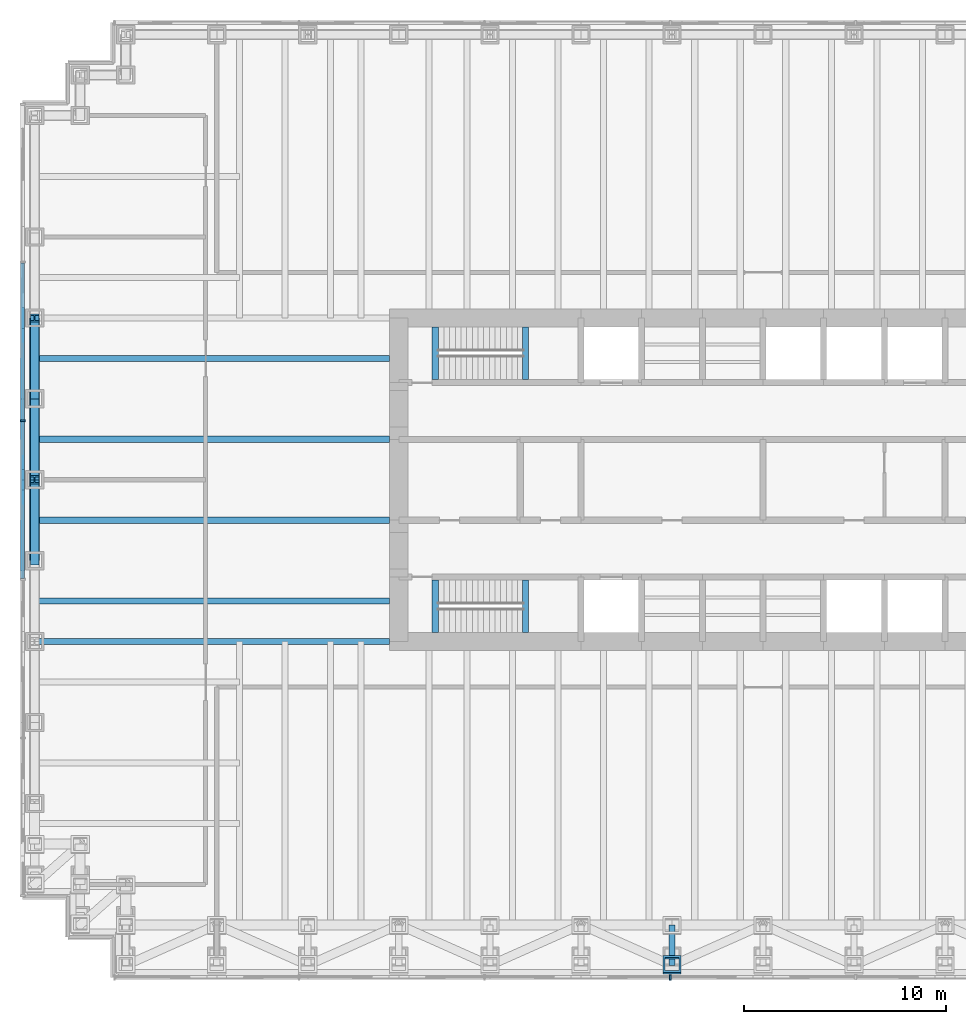
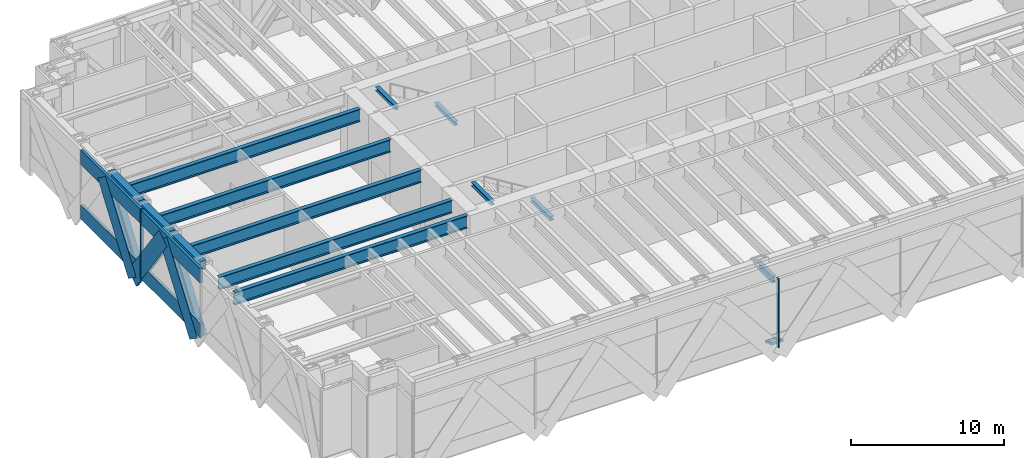
# One storey, part 3 of 16: 13 beams, 13 members, 2 elements without a shape of their own.
"""IFC4 building model written with IfcOpenShell, lengths in metres."""

from ifc_helpers import new_model, si_unit, direction, frame, origin, origin_2d, place, context, subcontext, project, spatial, rectangle, hollow_rectangle, i_section, extrude, material, material_profile, profile_set, type_object, element, aggregate, save


model = new_model("IFC4")

# Units and contexts
model_context = context("Model", 3, precision=1e-05, world=origin(), true_north=direction((0.0, 1.0)))
body_context = subcontext(model_context, "Body", "Model", "MODEL_VIEW")
ifc_project = project(units=[si_unit("LENGTHUNIT", "METRE"), si_unit("AREAUNIT", "SQUARE_METRE"), si_unit("VOLUMEUNIT", "CUBIC_METRE"), si_unit("PLANEANGLEUNIT", "RADIAN"), si_unit("MASSUNIT", "GRAM", prefix="KILO")], contexts=[model_context])

# Site, building, storey
site_placement = place(None, origin())
site = spatial("IfcSite", under=ifc_project, at=site_placement, CompositionType="ELEMENT")
building_placement = place(site_placement, origin())
building = spatial("IfcBuilding", under=site, at=building_placement, Name="Rheinbord Bourse Tower", CompositionType="ELEMENT")
storey_placement = place(building_placement, frame((0.0, 0.0, 95.0)))
storey = spatial("IfcBuildingStorey", under=building, at=storey_placement, Name="L20", CompositionType="ELEMENT", Elevation=95.0)

# Beams
ifc_material_1 = material(Name="Steel S460M", Category="steel")
ifc_material_profile_1 = material_profile(ifc_material_1, hollow_rectangle(XDim=0.5, YDim=0.699951171875, WallThickness=0.0400390625, at=origin_2d()), Name="BOX 700x500x40")
ifc_profile_set_1 = profile_set([ifc_material_profile_1], Name="Steel S460M")
beam_type_1 = type_object("IfcBeamType", Name="BELT CHORD BOX 700x500x40", PredefinedType="SPANDREL", material=ifc_profile_set_1)
for number, where, z_axis, x_axis, name in (
    (1, (0.0, 32.0, 4.989990234375), (0.0, -1.0, 0.0), (1.0, 0.0, 0.0), "Spandrel W-32-W-28 under L21"),
    (2, (0.0, 28.0, 4.989990234375), (0.0, -1.0, 0.0), (1.0, 0.0, 0.0), "Spandrel W-28-W-24 under L21"),
    (3, (0.0, 24.0, 4.989990234375), (0.0, -1.0, 0.0), (1.0, 0.0, 0.0), "Spandrel W-24-W-20 under L21"),
):
    element("IfcBeam", number, at=place(storey_placement, frame(where, z_axis=z_axis, x_axis=x_axis)), inside=storey, type_object=beam_type_1, Name=name, PredefinedType="SPANDREL", context=body_context, shape_type="SweptSolid", body=[
        extrude(hollow_rectangle(XDim=0.5, YDim=0.699951171875, WallThickness=0.0400390625, at=origin_2d()), origin(), (0.0, 0.0, 1.0), 4.0),
    ])

# Members
ifc_material_2 = material(Name="Steel S460", Category="steel")
ifc_material_profile_2 = material_profile(ifc_material_2, i_section(OverallWidth=0.431884765625, OverallDepth=0.498046875, WebThickness=0.0556640625, FlangeThickness=0.0888671875, at=origin_2d()), Name="HD 400x744")
ifc_profile_set_2 = profile_set([ifc_material_profile_2], Name="Steel S460")
member_type_1 = type_object("IfcMemberType", Name="BELT DIAGONAL HD 400x744", PredefinedType="STRUT", material=ifc_profile_set_2)
for number, where, z_axis, x_axis, name in (
    (4, (0.0, 28.0, -0.60009765625), (0.0, 0.581920023079, 0.813246018582), (-1.0, 0.0, 0.0), "Belt truss diagonal W-32-W-28 L20"),
    (5, (0.0, 28.0, -0.60009765625), (0.0, -0.581920023079, 0.813246018582), (1.0, 0.0, 0.0), "Belt truss diagonal W-28-W-24 L20"),
    (6, (0.0, 20.0, -0.60009765625), (0.0, 0.581920023079, 0.813246018582), (-1.0, 0.0, 0.0), "Belt truss diagonal W-24-W-20 L20"),
):
    element("IfcMember", number, at=place(storey_placement, frame(where, z_axis=z_axis, x_axis=x_axis)), inside=storey, type_object=member_type_1, Name=name, PredefinedType="STRUT", context=body_context, shape_type="SweptSolid", body=[
        extrude(i_section(OverallWidth=0.431884765625, OverallDepth=0.498046875, WebThickness=0.0556640625, FlangeThickness=0.0888671875, at=origin_2d()), origin(), (0.0, 0.0, 1.0), 6.873779296875),
    ])

# Curtain wall, members
ifc_material_3 = material(Name="Dark glass and black aluminium", Category="aluminium")
curtain_wall_type = type_object("IfcCurtainWallType", Name="CW5 DARK GLASS CURTAIN WALL", PredefinedType="USERDEFINED", material=ifc_material_3)
curtain_wall_1_placement = place(storey_placement, origin())
curtain_wall_1 = element("IfcCurtainWall", 7, at=curtain_wall_1_placement, inside=storey, type_object=curtain_wall_type, Name="Curtain wall CW5 W L20", ObjectType="UNITISED CURTAIN WALL", PredefinedType="USERDEFINED")
ifc_material_4 = material(Name="Black anodised aluminium", Category="aluminium")
ifc_material_profile_3 = material_profile(ifc_material_4, rectangle(XDim=0.199951171875, YDim=1.259033203125, at=origin_2d()), Name="CW5 DIAGONAL MULLION 1259x200")
ifc_profile_set_3 = profile_set([ifc_material_profile_3], Name="Black anodised aluminium")
member_type_2 = type_object("IfcMemberType", Name="CW5 BLACK DIAGONAL MULLION", PredefinedType="USERDEFINED", material=ifc_profile_set_3)
member_1_placement = place(storey_placement, frame((-0.60009765625, 28.0, -0.60009765625), z_axis=(0.0, 0.581920023079, 0.813246018582), x_axis=(-1.0, 0.0, 0.0)))
member_1 = element("IfcMember", 8, at=member_1_placement, type_object=member_type_2, Name="CW5 diagonal mullion belt W-32", ObjectType="DIAGONAL MULLION", PredefinedType="USERDEFINED", context=body_context, shape_type="SweptSolid", body=[
    extrude(rectangle(XDim=0.199951171875, YDim=1.259033203125, at=origin_2d()), origin(), (0.0, 0.0, 1.0), 6.873779296875),
])
member_2_placement = place(storey_placement, frame((-0.60009765625, 28.0, -0.60009765625), z_axis=(0.0, -0.581920023079, 0.813246018582), x_axis=(1.0, 0.0, 0.0)))
member_2 = element("IfcMember", 9, at=member_2_placement, type_object=member_type_2, Name="CW5 diagonal mullion belt W-28", ObjectType="DIAGONAL MULLION", PredefinedType="USERDEFINED", context=body_context, shape_type="SweptSolid", body=[
    extrude(rectangle(XDim=0.199951171875, YDim=1.259033203125, at=origin_2d()), origin(), (0.0, 0.0, 1.0), 6.873779296875),
])
member_3_placement = place(storey_placement, frame((-0.60009765625, 20.0, -0.60009765625), z_axis=(0.0, 0.581920023079, 0.813246018582), x_axis=(-1.0, 0.0, 0.0)))
member_3 = element("IfcMember", 10, at=member_3_placement, type_object=member_type_2, Name="CW5 diagonal mullion belt W-24", ObjectType="DIAGONAL MULLION", PredefinedType="USERDEFINED", context=body_context, shape_type="SweptSolid", body=[
    extrude(rectangle(XDim=0.199951171875, YDim=1.259033203125, at=origin_2d()), origin(), (0.0, 0.0, 1.0), 6.873779296875),
])

# Curtain wall, member
curtain_wall_2_placement = place(storey_placement, origin())
curtain_wall_2 = element("IfcCurtainWall", 11, at=curtain_wall_2_placement, inside=storey, type_object=curtain_wall_type, Name="Curtain wall CW5 S L20", ObjectType="UNITISED CURTAIN WALL", PredefinedType="USERDEFINED")
ifc_material_5 = material(Name="Black anodised aluminium", Category="aluminium")
ifc_material_profile_4 = material_profile(ifc_material_5, rectangle(XDim=0.25, YDim=0.080078125, at=origin_2d()), Name="CW5 MULLION 80x250")
ifc_profile_set_4 = profile_set([ifc_material_profile_4], Name="Black anodised aluminium")
member_type_3 = type_object("IfcMemberType", Name="CW5 BLACK MULLION", PredefinedType="MULLION", material=ifc_profile_set_4)
member_4_placement = place(storey_placement, frame((31.414306640625, -0.60009765625, 0.0), z_axis=(0.0, 0.0, 1.0), x_axis=(0.0, 1.0, 0.0)))
member_4 = element("IfcMember", 12, at=member_4_placement, type_object=member_type_3, Name="CW5 mullion 4", PredefinedType="MULLION", context=body_context, shape_type="SweptSolid", body=[
    extrude(rectangle(XDim=0.25, YDim=0.080078125, at=origin_2d()), origin(), (0.0, 0.0, 1.0), 5.5),
])
aggregate(curtain_wall_2, [member_4])

# Member
member_5_placement = place(storey_placement, frame((-0.60009765625, 26.919921875, 0.0), z_axis=(0.0, 0.0, 1.0), x_axis=(1.0, 0.0, 0.0)))
member_5 = element("IfcMember", 13, at=member_5_placement, type_object=member_type_3, Name="CW5 mullion 3", PredefinedType="MULLION", context=body_context, shape_type="SweptSolid", body=[
    extrude(rectangle(XDim=0.25, YDim=0.080078125, at=origin_2d()), origin(), (0.0, 0.0, 1.0), 5.5),
])

ifc_material_6 = material(Name="Black anodised aluminium", Category="aluminium")
ifc_material_profile_5 = material_profile(ifc_material_6, rectangle(XDim=0.199951171875, YDim=1.14990234375, at=origin_2d()), Name="CW5 TRANSOM 1150x200")
ifc_profile_set_5 = profile_set([ifc_material_profile_5], Name="Black anodised aluminium")
member_type_4 = type_object("IfcMemberType", Name="CW5 BLACK TRANSOM", PredefinedType="USERDEFINED", material=ifc_profile_set_5)
member_6_placement = place(storey_placement, frame((-0.60009765625, 34.719970703125, 0.574951171875), z_axis=(0.0, -1.0, 0.0), x_axis=(1.0, 0.0, 0.0)))
member_6 = element("IfcMember", 14, at=member_6_placement, type_object=member_type_4, Name="CW5 transom 2.1", ObjectType="TRANSOM", PredefinedType="USERDEFINED", context=body_context, shape_type="SweptSolid", body=[
    extrude(rectangle(XDim=0.199951171875, YDim=1.14990234375, at=origin_2d()), origin(), (0.0, 0.0, 1.0), 7.760009765625),
])

member_7_placement = place(storey_placement, frame((-0.60009765625, 34.719970703125, 4.925048828125), z_axis=(0.0, -1.0, 0.0), x_axis=(1.0, 0.0, 0.0)))
member_7 = element("IfcMember", 15, at=member_7_placement, type_object=member_type_4, Name="CW5 transom 2.2", ObjectType="TRANSOM", PredefinedType="USERDEFINED", context=body_context, shape_type="SweptSolid", body=[
    extrude(rectangle(XDim=0.199951171875, YDim=1.14990234375, at=origin_2d()), origin(), (0.0, 0.0, 1.0), 7.760009765625),
])

member_8_placement = place(storey_placement, frame((-0.60009765625, 26.8798828125, 0.574951171875), z_axis=(0.0, -1.0, 0.0), x_axis=(1.0, 0.0, 0.0)))
member_8 = element("IfcMember", 16, at=member_8_placement, type_object=member_type_4, Name="CW5 transom 3.1", ObjectType="TRANSOM", PredefinedType="USERDEFINED", context=body_context, shape_type="SweptSolid", body=[
    extrude(rectangle(XDim=0.199951171875, YDim=1.14990234375, at=origin_2d()), origin(), (0.0, 0.0, 1.0), 7.759765625),
])

member_9_placement = place(storey_placement, frame((-0.60009765625, 26.8798828125, 4.925048828125), z_axis=(0.0, -1.0, 0.0), x_axis=(1.0, 0.0, 0.0)))
member_9 = element("IfcMember", 17, at=member_9_placement, type_object=member_type_4, Name="CW5 transom 3.2", ObjectType="TRANSOM", PredefinedType="USERDEFINED", context=body_context, shape_type="SweptSolid", body=[
    extrude(rectangle(XDim=0.199951171875, YDim=1.14990234375, at=origin_2d()), origin(), (0.0, 0.0, 1.0), 7.759765625),
])

aggregate(curtain_wall_1, [member_5, member_6, member_7, member_8, member_9, member_1, member_2, member_3])

# Beams
ifc_material_7 = material(Name="Steel S460", Category="steel")
ifc_material_profile_6 = material_profile(ifc_material_7, i_section(OverallWidth=0.302001953125, OverallDepth=1.008056640625, WebThickness=0.02099609375, FlangeThickness=0.0400390625, at=origin_2d()), Name="HEM 1000")
ifc_profile_set_6 = profile_set([ifc_material_profile_6], Name="Steel S460")
beam_type_2 = type_object("IfcBeamType", Name="END BEAM HEM 1000", PredefinedType="BEAM", material=ifc_profile_set_6)
for number, where, z_axis, x_axis, name in (
    (18, (0.0, 18.0, 4.8359375), (1.0, 0.0, 0.0), (0.0, 1.0, 0.0), "End beam west 18 L21"),
    (19, (0.0, 22.0, 4.8359375), (1.0, 0.0, 0.0), (0.0, 1.0, 0.0), "End beam west 22 L21"),
    (20, (0.0, 26.0, 4.8359375), (1.0, 0.0, 0.0), (0.0, 1.0, 0.0), "End beam west 26 L21"),
    (21, (0.0, 30.0, 4.8359375), (1.0, 0.0, 0.0), (0.0, 1.0, 0.0), "End beam west 30 L21"),
):
    element("IfcBeam", number, at=place(storey_placement, frame(where, z_axis=z_axis, x_axis=x_axis)), inside=storey, type_object=beam_type_2, Name=name, PredefinedType="BEAM", context=body_context, shape_type="SweptSolid", body=[
        extrude(i_section(OverallWidth=0.302001953125, OverallDepth=1.008056640625, WebThickness=0.02099609375, FlangeThickness=0.0400390625, at=origin_2d()), origin(), (0.0, 0.0, 1.0), 17.550048828125),
    ])
ifc_material_8 = material(Name="Steel S460", Category="steel")
ifc_material_profile_7 = material_profile(ifc_material_8, i_section(OverallWidth=0.302001953125, OverallDepth=1.008056640625, WebThickness=0.02099609375, FlangeThickness=0.0400390625, at=origin_2d()), Name="HEM 1000")
ifc_profile_set_7 = profile_set([ifc_material_profile_7], Name="Steel S460")
beam_type_3 = type_object("IfcBeamType", Name="GIRDER HEM 1000", PredefinedType="BEAM", material=ifc_profile_set_7)
beam_1_placement = place(storey_placement, frame((0.0, 16.0, 4.8359375), z_axis=(1.0, 0.0, 0.0), x_axis=(0.0, 1.0, 0.0)))
element("IfcBeam", 22, at=beam_1_placement, inside=storey, type_object=beam_type_3, Name="Girder west 16 L21", PredefinedType="BEAM", context=body_context, shape_type="SweptSolid", body=[
    extrude(i_section(OverallWidth=0.302001953125, OverallDepth=1.008056640625, WebThickness=0.02099609375, FlangeThickness=0.0400390625, at=origin_2d()), origin(), (0.0, 0.0, 1.0), 17.550048828125),
])
ifc_material_9 = material(Name="Steel S460", Category="steel")
ifc_material_profile_8 = material_profile(ifc_material_9, i_section(OverallWidth=0.300048828125, OverallDepth=0.300048828125, WebThickness=0.010986328125, FlangeThickness=0.01904296875, at=origin_2d()), Name="HEB 300")
ifc_profile_set_8 = profile_set([ifc_material_profile_8], Name="Steel S460")
beam_type_4 = type_object("IfcBeamType", Name="LANDING TRIMMER HEB 300", PredefinedType="BEAM", material=ifc_profile_set_8)
for number, where, z_axis, x_axis, name in (
    (23, (24.25, 16.449951171875, 2.39990234375), (0.0, 1.0, 0.0), (-1.0, 0.0, 0.0), "Landing trimmer ST1 L20"),
    (24, (19.800048828125, 16.449951171875, 5.18994140625), (0.0, 1.0, 0.0), (-1.0, 0.0, 0.0), "Well trimmer ST1 under L21"),
    (25, (24.25, 28.949951171875, 2.39990234375), (0.0, 1.0, 0.0), (-1.0, 0.0, 0.0), "Landing trimmer ST2 L20"),
    (26, (19.800048828125, 28.949951171875, 5.18994140625), (0.0, 1.0, 0.0), (-1.0, 0.0, 0.0), "Well trimmer ST2 under L21"),
):
    element("IfcBeam", number, at=place(storey_placement, frame(where, z_axis=z_axis, x_axis=x_axis)), inside=storey, type_object=beam_type_4, Name=name, PredefinedType="BEAM", context=body_context, shape_type="SweptSolid", body=[
        extrude(i_section(OverallWidth=0.300048828125, OverallDepth=0.300048828125, WebThickness=0.010986328125, FlangeThickness=0.01904296875, at=origin_2d()), origin(), (0.0, 0.0, 1.0), 2.60009765625),
    ])

# Member
ifc_material_10 = material(Name="Steel S460M", Category="steel")
ifc_material_profile_9 = material_profile(ifc_material_10, hollow_rectangle(XDim=0.89990234375, YDim=0.89990234375, WallThickness=0.110107421875, at=origin_2d()), Name="BOX 900x900x110")
ifc_profile_set_9 = profile_set([ifc_material_profile_9], Name="Steel S460M")
member_type_5 = type_object("IfcMemberType", Name="RAKING NODE PIECE BOX 900x900x110", PredefinedType="USERDEFINED", material=ifc_profile_set_9)
member_10_placement = place(storey_placement, frame((31.5, 0.0, 0.0), z_axis=(0.0, 0.341861886176, 0.939750206587), x_axis=(0.0, -0.939750206587, 0.341861886176)))
element("IfcMember", 27, at=member_10_placement, inside=storey, type_object=member_type_5, Name="Node piece S-31.5 L20 foot", ObjectType="NODE PIECE", PredefinedType="USERDEFINED", context=body_context, shape_type="SweptSolid", body=[
    extrude(hollow_rectangle(XDim=0.89990234375, YDim=0.89990234375, WallThickness=0.110107421875, at=origin_2d()), origin(), (0.0, 0.0, 1.0), 0.1650390625),
])

# Beam
ifc_material_11 = material(Name="Steel S460", Category="steel")
ifc_material_profile_10 = material_profile(ifc_material_11, i_section(OverallWidth=0.305908203125, OverallDepth=0.52392578125, WebThickness=0.02099609375, FlangeThickness=0.0400390625, at=origin_2d()), Name="HEM 500")
ifc_profile_set_10 = profile_set([ifc_material_profile_10], Name="Steel S460")
beam_type_5 = type_object("IfcBeamType", Name="SETBACK OUTLOOKER HEM 500", PredefinedType="BEAM", material=ifc_profile_set_10)
beam_2_placement = place(storey_placement, frame((31.5, 2.0, 4.988037109375), z_axis=(0.0, -1.0, 0.0), x_axis=(1.0, 0.0, 0.0)))
element("IfcBeam", 28, at=beam_2_placement, inside=storey, type_object=beam_type_5, Name="Setback outlooker S-31.5 L21", PredefinedType="BEAM", context=body_context, shape_type="SweptSolid", body=[
    extrude(i_section(OverallWidth=0.305908203125, OverallDepth=0.52392578125, WebThickness=0.02099609375, FlangeThickness=0.0400390625, at=origin_2d()), origin(), (0.0, 0.0, 1.0), 2.0),
])

save(model, "model.ifc")
